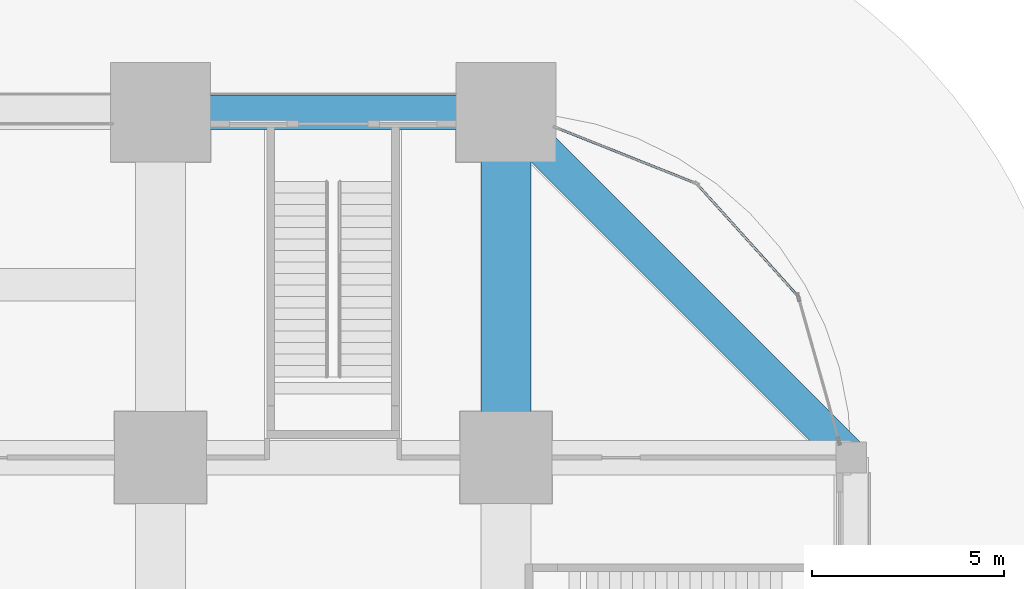
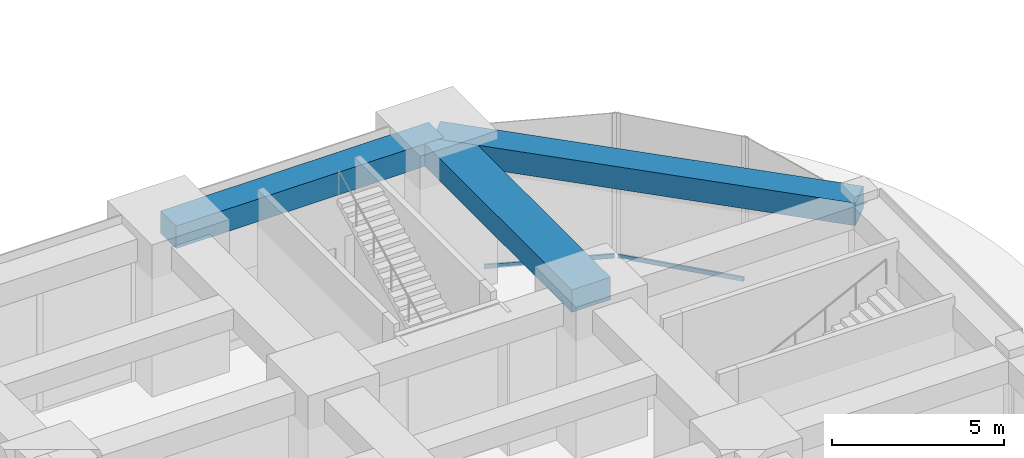
# One storey, part 37 of 56: 3 beams, 2 members, 2 elements without a shape of their own.
"""IFC4 building model written with IfcOpenShell, lengths in metres."""

from ifc_helpers import new_model, si_unit, direction, frame, origin, origin_2d, place, context, subcontext, project, spatial, rectangle, hollow_rectangle, extrude, material, material_profile, profile_set, type_object, element, aggregate, save


model = new_model("IFC4")

# Units and contexts
model_context = context("Model", 3, precision=1e-05, world=origin(), true_north=direction((0.0, 1.0)))
body_context = subcontext(model_context, "Body", "Model", "MODEL_VIEW")
ifc_project = project(units=[si_unit("LENGTHUNIT", "METRE"), si_unit("AREAUNIT", "SQUARE_METRE"), si_unit("VOLUMEUNIT", "CUBIC_METRE"), si_unit("PLANEANGLEUNIT", "RADIAN"), si_unit("MASSUNIT", "GRAM", prefix="KILO")], contexts=[model_context])

# Site, building, storey
site_placement = place(None, origin())
site = spatial("IfcSite", under=ifc_project, at=site_placement, CompositionType="ELEMENT")
building_placement = place(site_placement, origin())
building = spatial("IfcBuilding", under=site, at=building_placement, Name="Zorevar Civic Tower", CompositionType="ELEMENT")
storey_placement = place(building_placement, origin())
storey = spatial("IfcBuildingStorey", under=building, at=storey_placement, Name="L00", CompositionType="ELEMENT", Elevation=0.0)

# Beam
ifc_material_1 = material(Name="Concrete C50/60", Category="concrete")
ifc_material_profile_1 = material_profile(ifc_material_1, rectangle(XDim=1.300048828125, YDim=0.800048828125, at=origin_2d()), Name="RC 1300x800")
ifc_profile_set_1 = profile_set([ifc_material_profile_1], Name="Concrete C50/60")
beam_type_1 = type_object("IfcBeamType", Name="Beam RC 1300x800", PredefinedType="BEAM", material=ifc_profile_set_1)
beam_1_placement = place(storey_placement, frame((63.0, 45.0, 4.699951171875), z_axis=(0.0, 1.0, 0.0), x_axis=(-1.0, 0.0, 0.0)))
element("IfcBeam", 1, at=beam_1_placement, inside=storey, type_object=beam_type_1, Name="Girder L01", PredefinedType="BEAM", context=body_context, shape_type="SweptSolid", body=[
    extrude(rectangle(XDim=1.300048828125, YDim=0.800048828125, at=origin_2d()), origin(), (0.0, 0.0, 1.0), 9.0),
])

# Curtain wall, member
ifc_material_2 = material(Name="Dark grey solar-control glass in black aluminium frame", Category="aluminium")
curtain_wall_type = type_object("IfcCurtainWallType", Name="Curtain wall CW1 podium", PredefinedType="NOTDEFINED", material=ifc_material_2)
curtain_wall_1_placement = place(storey_placement, origin())
curtain_wall_1 = element("IfcCurtainWall", 2, at=curtain_wall_1_placement, inside=storey, type_object=curtain_wall_type, Name="CW1 L00", PredefinedType="NOTDEFINED")
ifc_material_3 = material(Name="Aluminium, black anodised", Category="aluminium")
ifc_material_profile_2 = material_profile(ifc_material_3, hollow_rectangle(XDim=0.06005859375, YDim=0.14990234375, WallThickness=0.00390625, at=origin_2d()), Name="AL 150x60x4")
ifc_profile_set_2 = profile_set([ifc_material_profile_2], Name="Aluminium, black anodised")
member_type = type_object("IfcMemberType", Name="CW1 transom AL 150x60x4", PredefinedType="USERDEFINED", material=ifc_profile_set_2)
member_1_placement = place(storey_placement, frame((70.576904296875, 49.248046875, 0.030029296875), z_axis=(-0.669390521788, 0.742910714245, 0.0), x_axis=(-0.742910714245, -0.669390521788, 0.0)))
member_1 = element("IfcMember", 3, at=member_1_placement, type_object=member_type, Name="CW1 sill transom", ObjectType="TRANSOM", PredefinedType="USERDEFINED", context=body_context, shape_type="SweptSolid", body=[
    extrude(hollow_rectangle(XDim=0.06005859375, YDim=0.14990234375, WallThickness=0.00390625, at=origin_2d()), origin(), (0.0, 0.0, 1.0), 3.83203125),
])
aggregate(curtain_wall_1, [member_1])

curtain_wall_2_placement = place(storey_placement, origin())
curtain_wall_2 = element("IfcCurtainWall", 4, at=curtain_wall_2_placement, inside=storey, type_object=curtain_wall_type, Name="CW1 L00", PredefinedType="NOTDEFINED")
member_2_placement = place(storey_placement, frame((67.915771484375, 52.161865234375, 0.030029296875), z_axis=(-0.928998620575, 0.370083183851, 0.0), x_axis=(-0.370083183851, -0.928998620575, 0.0)))
member_2 = element("IfcMember", 5, at=member_2_placement, type_object=member_type, Name="CW1 sill transom", ObjectType="TRANSOM", PredefinedType="USERDEFINED", context=body_context, shape_type="SweptSolid", body=[
    extrude(hollow_rectangle(XDim=0.06005859375, YDim=0.14990234375, WallThickness=0.00390625, at=origin_2d()), origin(), (0.0, 0.0, 1.0), 3.83203125),
])
aggregate(curtain_wall_2, [member_2])

# Beams
ifc_material_4 = material(Name="Concrete C50/60", Category="concrete")
ifc_material_profile_3 = material_profile(ifc_material_4, rectangle(XDim=0.89990234375, YDim=0.800048828125, at=origin_2d()), Name="RC 900x800")
ifc_profile_set_3 = profile_set([ifc_material_profile_3], Name="Concrete C50/60")
beam_type_2 = type_object("IfcBeamType", Name="Edge beam RC 900x800", PredefinedType="SPANDREL", material=ifc_profile_set_3)
beam_2_placement = place(storey_placement, frame((54.0, 54.0, 4.699951171875), z_axis=(1.0, 0.0, 0.0), x_axis=(0.0, 1.0, 0.0)))
element("IfcBeam", 6, at=beam_2_placement, inside=storey, type_object=beam_type_2, Name="Edge beam L01", PredefinedType="SPANDREL", context=body_context, shape_type="SweptSolid", body=[
    extrude(rectangle(XDim=0.89990234375, YDim=0.800048828125, at=origin_2d()), origin(), (0.0, 0.0, 1.0), 9.0),
])
beam_3_placement = place(storey_placement, frame((72.0, 45.0, 4.699951171875), z_axis=(-0.707106781187, 0.707106781187, 0.0), x_axis=(-0.707106781187, -0.707106781187, 0.0)))
element("IfcBeam", 7, at=beam_3_placement, inside=storey, type_object=beam_type_2, Name="Corner edge beam L01", PredefinedType="SPANDREL", context=body_context, shape_type="SweptSolid", body=[
    extrude(rectangle(XDim=0.89990234375, YDim=0.800048828125, at=origin_2d()), origin(), (0.0, 0.0, 1.0), 12.72802734375),
])

save(model, "model.ifc")
